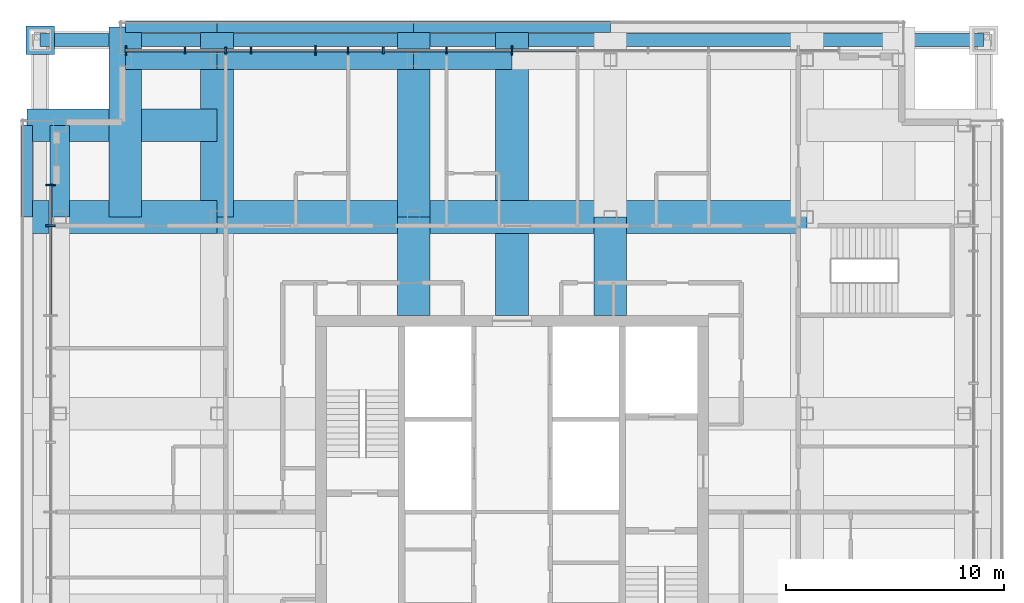
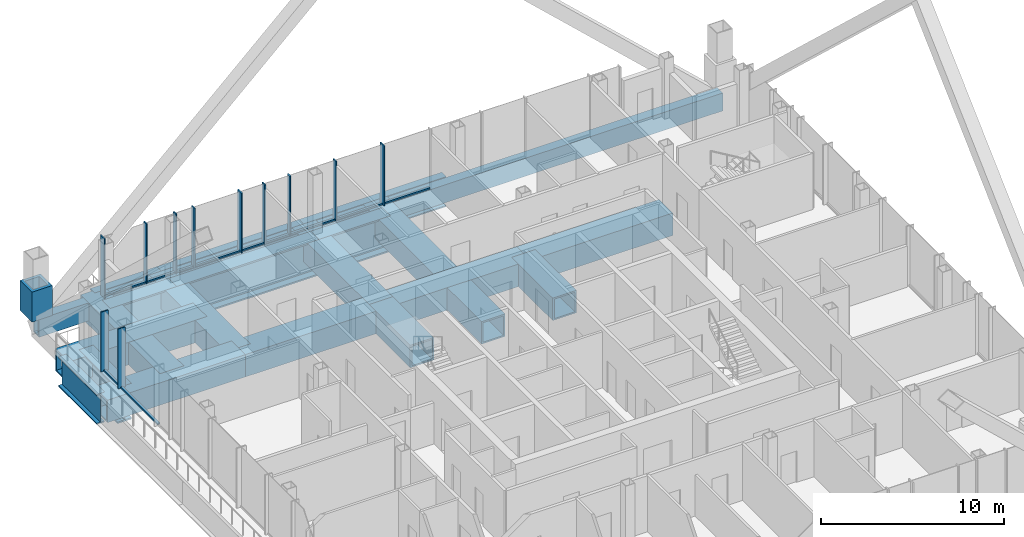
# One storey, part 8 of 19: 24 members, 19 beams, 2 elements without a shape of their own.
"""IFC4 building model written with IfcOpenShell, lengths in metres."""

import ifcopenshell
import ifcopenshell.guid

model = None  # the IFC model being written
_history = None  # IfcOwnerHistory: only IFC2X3 demands one
_inside = {}  # id of a spatial element -> (the spatial element, [elements in it])
_under = {}  # id of a project, library or spatial element -> (it, [spatial elements below it])
_declared = {}  # id of a project -> (the project, [libraries it declares])
_typed = {}  # id of a type object -> (the type object, [elements of that type])
_made_of = {}  # id of a material, layer set ... -> (it, [elements and type objects made of it])


def new_model(schema):
    """Start an empty IFC model of exactly this schema.

    Asked for "IFC4X3", IfcOpenShell would pick the latest addendum, in which some entities
    have other attributes; the version numbers below select the first issue.
    IFC2X3 requires an IfcOwnerHistory on every rooted entity: one is made here for all.
    """
    global model, _history
    if schema == "IFC4X3":
        model = ifcopenshell.file(schema_version=(4, 3, 0, 0))
    else:
        model = ifcopenshell.file(schema=schema)
    _inside.clear()
    _under.clear()
    _declared.clear()
    _typed.clear()
    _made_of.clear()
    _history = None
    if model.schema == "IFC2X3":
        org = make("IfcOrganization", Name="unknown")
        user = make(
            "IfcPersonAndOrganization",
            ThePerson=make("IfcPerson", FamilyName="unknown"),
            TheOrganization=org,
        )
        app = make(
            "IfcApplication",
            ApplicationDeveloper=org,
            Version="unknown",
            ApplicationFullName="unknown",
            ApplicationIdentifier="unknown",
        )
        _history = make(
            "IfcOwnerHistory",
            OwningUser=user,
            OwningApplication=app,
            ChangeAction="ADDED",
            CreationDate=0,
        )
    return model


def make(cls, **values):
    """One entity of the class cls with the attributes given. An attribute that is None is left unset."""
    return model.create_entity(
        cls, **{name: value for name, value in values.items() if value is not None}
    )


def rooted(cls, **values):
    """An entity with a GlobalId (a new one), such as an element, a storey or a relation."""
    return make(cls, GlobalId=ifcopenshell.guid.new(), OwnerHistory=_history, **values)


def si_unit(unit_type, name, prefix=None):
    """IfcSIUnit, for example si_unit("LENGTHUNIT", "METRE", prefix="MILLI")."""
    return make("IfcSIUnit", UnitType=unit_type, Prefix=prefix, Name=name)


def assignment(units):
    """IfcUnitAssignment: the units of a project."""
    return None if units is None else make("IfcUnitAssignment", Units=units)


def point(xyz):
    """IfcCartesianPoint."""
    return None if xyz is None else make("IfcCartesianPoint", Coordinates=xyz)


def direction(xyz):
    """IfcDirection."""
    return None if xyz is None else make("IfcDirection", DirectionRatios=xyz)


def frame(location, z_axis=None, x_axis=None):
    """IfcAxis2Placement3D, a coordinate frame: its origin and axes. An axis left out is left unset."""
    return make(
        "IfcAxis2Placement3D",
        Location=point(location),
        Axis=direction(z_axis),
        RefDirection=direction(x_axis),
    )


def frame_2d(location, x_axis=None):
    """IfcAxis2Placement2D, a coordinate frame in the plane: its origin and x axis."""
    return make(
        "IfcAxis2Placement2D", Location=point(location), RefDirection=direction(x_axis)
    )


def origin():
    """The frame at (0, 0, 0) with its axes left unset."""
    return frame((0.0, 0.0, 0.0))


def origin_2d():
    """The frame at (0, 0) in the plane with its x axis left unset."""
    return frame_2d((0.0, 0.0))


def place(relative_to, where):
    """IfcLocalPlacement: puts the frame where relative to a parent placement (None: the world)."""
    return make(
        "IfcLocalPlacement", PlacementRelTo=relative_to, RelativePlacement=where
    )


def context(
    kind, dimensions, precision=None, world=None, true_north=None, identifier=None
):
    """IfcGeometricRepresentationContext, for example the 3D "Model" context."""
    return make(
        "IfcGeometricRepresentationContext",
        ContextIdentifier=identifier,
        ContextType=kind,
        CoordinateSpaceDimension=dimensions,
        Precision=precision,
        WorldCoordinateSystem=world,
        TrueNorth=true_north,
    )


def subcontext(parent, identifier, kind, view, scale=None):
    """IfcGeometricRepresentationSubContext, for example "Body" below "Model"."""
    return make(
        "IfcGeometricRepresentationSubContext",
        ContextIdentifier=identifier,
        ContextType=kind,
        ParentContext=parent,
        TargetScale=scale,
        TargetView=view,
    )


def project(units=None, contexts=None):
    """IfcProject with its units and contexts."""
    return rooted(
        "IfcProject",
        Name="project",
        RepresentationContexts=contexts,
        UnitsInContext=assignment(units),
    )


def spatial(cls, under=None, at=None, **own):
    """A site, building, storey or space (cls), placed at a placement, below another one or the project."""
    s = rooted(cls, ObjectPlacement=at, **own)
    if under is not None:
        _under.setdefault(under.id(), (under, []))[1].append(s)
    return s


def profile(cls, at=None, kind="AREA", **sizes):
    """A parametric profile (cls). Its sizes go by their IFC names, for example OverallWidth=200.0."""
    return make(cls, ProfileType=kind, Position=at, **sizes)


def rectangle(**sizes):
    """IfcRectangleProfileDef."""
    return profile("IfcRectangleProfileDef", **sizes)


def hollow_rectangle(**sizes):
    """IfcRectangleHollowProfileDef."""
    return profile("IfcRectangleHollowProfileDef", **sizes)


def i_section(**sizes):
    """IfcIShapeProfileDef."""
    return profile("IfcIShapeProfileDef", **sizes)


def extrude(swept, where, along, depth):
    """IfcExtrudedAreaSolid: the profile swept, set in the frame where, extruded along a direction by depth."""
    return make(
        "IfcExtrudedAreaSolid",
        SweptArea=swept,
        Position=where,
        ExtrudedDirection=direction(along),
        Depth=depth,
    )


def shape(context_of_items, identifier, shape_type, items):
    """IfcShapeRepresentation: the items that make up one representation, for example the "Body"."""
    return make(
        "IfcShapeRepresentation",
        ContextOfItems=context_of_items,
        RepresentationIdentifier=identifier,
        RepresentationType=shape_type,
        Items=items,
    )


def material(Name=None, Category=None):
    """IfcMaterial."""
    return make("IfcMaterial", Name=Name, Category=Category)


def layer(
    of_material, thickness, ventilated=None, Name=None, Category=None, Priority=None
):
    """IfcMaterialLayer: one layer of a wall or slab, of a material (None: an air gap)."""
    return make(
        "IfcMaterialLayer",
        Material=of_material,
        LayerThickness=thickness,
        IsVentilated=ventilated,
        Name=Name,
        Category=Category,
        Priority=Priority,
    )


def layer_set(layers, Name=None):
    """IfcMaterialLayerSet."""
    return make("IfcMaterialLayerSet", MaterialLayers=layers, LayerSetName=Name)


def material_profile(
    of_material, cross_section, Name=None, Category=None, Priority=None
):
    """IfcMaterialProfile: a cross section and its material."""
    return make(
        "IfcMaterialProfile",
        Name=Name,
        Material=of_material,
        Profile=cross_section,
        Priority=Priority,
        Category=Category,
    )


def profile_set(profiles, Name=None, composite=None):
    """IfcMaterialProfileSet."""
    return make(
        "IfcMaterialProfileSet",
        Name=Name,
        MaterialProfiles=profiles,
        CompositeProfile=composite,
    )


def made_of(thing, what):
    """Note that an element or type object is made of a material, layer set ...; save() writes the relation."""
    if what is not None:
        _made_of.setdefault(what.id(), (what, []))[1].append(thing)
    return thing


def type_object(cls, material=None, **own):
    """A type object (cls), such as IfcWallType, which elements share."""
    return made_of(rooted(cls, **own), material)


def element(
    cls,
    number,
    at=None,
    inside=None,
    cuts=None,
    type_object=None,
    material=None,
    context=None,
    identifier="Body",
    shape_type=None,
    held_by="IfcProductDefinitionShape",
    body=None,
    shapes=None,
    **own,
):
    """One element of the class cls, such as IfcWall. Its Tag is "e" and its number.

    at: its placement. inside: the storey or other place that contains it. cuts: it is an
    opening in that element (IfcRelVoidsElement). A single representation is given by context,
    identifier, shape_type and body (its items); several are given by shapes. held_by: the class
    of the entity that holds the representations. save() writes the other relations.
    """
    e = rooted(cls, Tag="e%d" % number, ObjectPlacement=at, **own)
    if body is not None:
        shapes = [shape(context, identifier, shape_type, body)]
    if shapes is not None:
        e.Representation = make(held_by, Representations=shapes)
    if inside is not None:
        _inside.setdefault(inside.id(), (inside, []))[1].append(e)
    if cuts is not None:
        rooted(
            "IfcRelVoidsElement", RelatingBuildingElement=cuts, RelatedOpeningElement=e
        )
    if type_object is not None:
        _typed.setdefault(type_object.id(), (type_object, []))[1].append(e)
    return made_of(e, material)


def aggregate(whole, parts):
    """IfcRelAggregates: a whole, such as a stair, and the parts it consists of."""
    return rooted("IfcRelAggregates", RelatingObject=whole, RelatedObjects=parts)


def save(model, path):
    """Write the relations noted so far, then the file.

    IfcRelAggregates (storeys below a building ...), IfcRelContainedInSpatialStructure (elements
    in a storey), IfcRelDefinesByType, IfcRelAssociatesMaterial and IfcRelDeclares: one each for
    every whole, place, type object, material and project.
    """
    for whole, parts in _under.values():
        aggregate(whole, parts)
    for where, things in _inside.values():
        rooted(
            "IfcRelContainedInSpatialStructure",
            RelatedElements=things,
            RelatingStructure=where,
        )
    for kind, things in _typed.values():
        rooted("IfcRelDefinesByType", RelatedObjects=things, RelatingType=kind)
    for what, things in _made_of.values():
        rooted("IfcRelAssociatesMaterial", RelatedObjects=things, RelatingMaterial=what)
    for by, libraries in _declared.values():
        rooted("IfcRelDeclares", RelatingContext=by, RelatedDefinitions=libraries)
    model.write(path)


model = new_model("IFC4")

# Units and contexts
model_context = context("Model", 3, precision=1e-05, world=origin(), true_north=direction((0.0, 1.0)))
body_context = subcontext(model_context, "Body", "Model", "MODEL_VIEW")
ifc_project = project(units=[si_unit("LENGTHUNIT", "METRE"), si_unit("AREAUNIT", "SQUARE_METRE"), si_unit("VOLUMEUNIT", "CUBIC_METRE"), si_unit("PLANEANGLEUNIT", "RADIAN"), si_unit("MASSUNIT", "GRAM", prefix="KILO")], contexts=[model_context])

# Site, building, storey
site_placement = place(None, origin())
site = spatial("IfcSite", under=ifc_project, at=site_placement, CompositionType="ELEMENT")
building_placement = place(site_placement, origin())
building = spatial("IfcBuilding", under=site, at=building_placement, Name="Malebo Sky Hospital", CompositionType="ELEMENT")
storey_placement = place(building_placement, frame((0.0, 0.0, 250.0)))
storey = spatial("IfcBuildingStorey", under=building, at=storey_placement, Name="L60", CompositionType="ELEMENT", Elevation=250.0)

# Curtain wall, members
ifc_material_1 = material(Name="Anodised aluminium, natural silver", Category="aluminium")
ifc_layer_1 = layer(ifc_material_1, 0.25)
ifc_layer_set_1 = layer_set([ifc_layer_1], Name="WARD CURTAIN WALL NORTH AND SOUTH")
curtain_wall_type_1 = type_object("IfcCurtainWallType", Name="WARD CURTAIN WALL NORTH AND SOUTH", PredefinedType="NOTDEFINED", material=ifc_layer_set_1)
curtain_wall_1_placement = place(storey_placement, origin())
curtain_wall_1 = element("IfcCurtainWall", 1, at=curtain_wall_1_placement, inside=storey, type_object=curtain_wall_type_1, Name="NS curtain wall N", PredefinedType="NOTDEFINED")
ifc_material_profile_1 = material_profile(ifc_material_1, rectangle(XDim=0.14990234375, YDim=0.10009765625, at=origin_2d()), Name="ALUMINIUM TRANSOM 150x100")
ifc_profile_set_1 = profile_set([ifc_material_profile_1], Name="Anodised aluminium, natural silver")
member_type_1 = type_object("IfcMemberType", Name="ALUMINIUM TRANSOM 150x100", PredefinedType="USERDEFINED", material=ifc_profile_set_1)
member_1_placement = place(storey_placement, frame((42.375, 83.125, 0.050048828125), z_axis=(1.0, 0.0, 0.0), x_axis=(0.0, 1.0, 0.0)))
member_1 = element("IfcMember", 2, at=member_1_placement, type_object=member_type_1, Name="Transom 1", ObjectType="TRANSOM", PredefinedType="USERDEFINED", context=body_context, shape_type="SweptSolid", body=[
    extrude(rectangle(XDim=0.14990234375, YDim=0.10009765625, at=origin_2d()), origin(), (0.0, 0.0, 1.0), 2.61474609375),
])
member_2_placement = place(storey_placement, frame((45.064697265625, 83.125, 0.050048828125), z_axis=(1.0, 0.0, 0.0), x_axis=(0.0, 1.0, 0.0)))
member_2 = element("IfcMember", 3, at=member_2_placement, type_object=member_type_1, Name="Transom 2", ObjectType="TRANSOM", PredefinedType="USERDEFINED", context=body_context, shape_type="SweptSolid", body=[
    extrude(rectangle(XDim=0.14990234375, YDim=0.10009765625, at=origin_2d()), origin(), (0.0, 0.0, 1.0), 1.7978515625),
])
member_3_placement = place(storey_placement, frame((46.9375, 83.125, 0.050048828125), z_axis=(1.0, 0.0, 0.0), x_axis=(0.0, 1.0, 0.0)))
member_3 = element("IfcMember", 4, at=member_3_placement, type_object=member_type_1, Name="Transom 3", ObjectType="TRANSOM", PredefinedType="USERDEFINED", context=body_context, shape_type="SweptSolid", body=[
    extrude(rectangle(XDim=0.14990234375, YDim=0.10009765625, at=origin_2d()), origin(), (0.0, 0.0, 1.0), 1.07958984375),
])
member_4_placement = place(storey_placement, frame((48.092041015625, 83.125, 0.050048828125), z_axis=(1.0, 0.0, 0.0), x_axis=(0.0, 1.0, 0.0)))
member_4 = element("IfcMember", 5, at=member_4_placement, type_object=member_type_1, Name="Transom 4", ObjectType="TRANSOM", PredefinedType="USERDEFINED", context=body_context, shape_type="SweptSolid", body=[
    extrude(rectangle(XDim=0.14990234375, YDim=0.10009765625, at=origin_2d()), origin(), (0.0, 0.0, 1.0), 2.870361328125),
])
member_5_placement = place(storey_placement, frame((51.03759765625, 83.125, 0.050048828125), z_axis=(1.0, 0.0, 0.0), x_axis=(0.0, 1.0, 0.0)))
member_5 = element("IfcMember", 6, at=member_5_placement, type_object=member_type_1, Name="Transom 5", ObjectType="TRANSOM", PredefinedType="USERDEFINED", context=body_context, shape_type="SweptSolid", body=[
    extrude(rectangle(XDim=0.14990234375, YDim=0.10009765625, at=origin_2d()), origin(), (0.0, 0.0, 1.0), 1.4248046875),
])
member_6_placement = place(storey_placement, frame((52.53759765625, 83.125, 0.050048828125), z_axis=(1.0, 0.0, 0.0), x_axis=(0.0, 1.0, 0.0)))
member_6 = element("IfcMember", 7, at=member_6_placement, type_object=member_type_1, Name="Transom 6", ObjectType="TRANSOM", PredefinedType="USERDEFINED", context=body_context, shape_type="SweptSolid", body=[
    extrude(rectangle(XDim=0.14990234375, YDim=0.10009765625, at=origin_2d()), origin(), (0.0, 0.0, 1.0), 1.533935546875),
])
member_7_placement = place(storey_placement, frame((54.146484375, 83.125, 0.050048828125), z_axis=(1.0, 0.0, 0.0), x_axis=(0.0, 1.0, 0.0)))
member_7 = element("IfcMember", 8, at=member_7_placement, type_object=member_type_1, Name="Transom 7", ObjectType="TRANSOM", PredefinedType="USERDEFINED", context=body_context, shape_type="SweptSolid", body=[
    extrude(rectangle(XDim=0.14990234375, YDim=0.10009765625, at=origin_2d()), origin(), (0.0, 0.0, 1.0), 2.81591796875),
])
member_8_placement = place(storey_placement, frame((57.03759765625, 83.125, 0.050048828125), z_axis=(1.0, 0.0, 0.0), x_axis=(0.0, 1.0, 0.0)))
member_8 = element("IfcMember", 9, at=member_8_placement, type_object=member_type_1, Name="Transom 8", ObjectType="TRANSOM", PredefinedType="USERDEFINED", context=body_context, shape_type="SweptSolid", body=[
    extrude(rectangle(XDim=0.14990234375, YDim=0.10009765625, at=origin_2d()), origin(), (0.0, 0.0, 1.0), 2.9248046875),
])
member_9_placement = place(storey_placement, frame((60.03759765625, 83.125, 0.050048828125), z_axis=(1.0, 0.0, 0.0), x_axis=(0.0, 1.0, 0.0)))
member_9 = element("IfcMember", 10, at=member_9_placement, type_object=member_type_1, Name="Transom 9", ObjectType="TRANSOM", PredefinedType="USERDEFINED", context=body_context, shape_type="SweptSolid", body=[
    extrude(rectangle(XDim=0.14990234375, YDim=0.10009765625, at=origin_2d()), origin(), (0.0, 0.0, 1.0), 2.9248046875),
])

ifc_layer_2 = layer(ifc_material_1, 0.25)
ifc_layer_set_2 = layer_set([ifc_layer_2], Name="WARD CURTAIN WALL EAST AND WEST")
curtain_wall_type_2 = type_object("IfcCurtainWallType", Name="WARD CURTAIN WALL EAST AND WEST", PredefinedType="NOTDEFINED", material=ifc_layer_set_2)
curtain_wall_2_placement = place(storey_placement, origin())
curtain_wall_2 = element("IfcCurtainWall", 11, at=curtain_wall_2_placement, inside=storey, type_object=curtain_wall_type_2, Name="EW curtain wall W", PredefinedType="NOTDEFINED")
member_10_placement = place(storey_placement, frame((38.875, 71.03759765625, 0.050048828125), z_axis=(0.0, 1.0, 0.0), x_axis=(-1.0, 0.0, 0.0)))
member_10 = element("IfcMember", 12, at=member_10_placement, type_object=member_type_1, Name="Transom 13", ObjectType="TRANSOM", PredefinedType="USERDEFINED", context=body_context, shape_type="SweptSolid", body=[
    extrude(rectangle(XDim=0.14990234375, YDim=0.10009765625, at=origin_2d()), origin(), (0.0, 0.0, 1.0), 4.02490234375),
])
member_11_placement = place(storey_placement, frame((38.875, 75.137451171875, 0.050048828125), z_axis=(0.0, 1.0, 0.0), x_axis=(-1.0, 0.0, 0.0)))
member_11 = element("IfcMember", 13, at=member_11_placement, type_object=member_type_1, Name="Transom 14", ObjectType="TRANSOM", PredefinedType="USERDEFINED", context=body_context, shape_type="SweptSolid", body=[
    extrude(rectangle(XDim=0.14990234375, YDim=0.10009765625, at=origin_2d()), origin(), (0.0, 0.0, 1.0), 1.78759765625),
])

# Member
ifc_material_profile_2 = material_profile(ifc_material_1, rectangle(XDim=0.074951171875, YDim=0.300048828125, at=origin_2d()), Name="CW1 ALUMINIUM FIN MULLION 75x300")
ifc_profile_set_2 = profile_set([ifc_material_profile_2], Name="Anodised aluminium, natural silver")
member_type_2 = type_object("IfcMemberType", Name="CW1 ALUMINIUM FIN MULLION 75x300", PredefinedType="MULLION", material=ifc_profile_set_2)
member_12_placement = place(storey_placement, frame((45.02734375, 83.125, 0.0), z_axis=(0.0, 0.0, 1.0), x_axis=(1.0, 0.0, 0.0)))
member_12 = element("IfcMember", 14, at=member_12_placement, type_object=member_type_2, Name="Fin mullion 2", PredefinedType="MULLION", context=body_context, shape_type="SweptSolid", body=[
    extrude(rectangle(XDim=0.074951171875, YDim=0.300048828125, at=origin_2d()), origin(), (0.0, 0.0, 1.0), 4.0),
])

member_13_placement = place(storey_placement, frame((46.89990234375, 83.125, 0.0), z_axis=(0.0, 0.0, 1.0), x_axis=(1.0, 0.0, 0.0)))
member_13 = element("IfcMember", 15, at=member_13_placement, type_object=member_type_2, Name="Fin mullion 3", PredefinedType="MULLION", context=body_context, shape_type="SweptSolid", body=[
    extrude(rectangle(XDim=0.074951171875, YDim=0.300048828125, at=origin_2d()), origin(), (0.0, 0.0, 1.0), 4.0),
])

member_14_placement = place(storey_placement, frame((48.054443359375, 83.125, 0.0), z_axis=(0.0, 0.0, 1.0), x_axis=(1.0, 0.0, 0.0)))
member_14 = element("IfcMember", 16, at=member_14_placement, type_object=member_type_2, Name="Fin mullion 4", PredefinedType="MULLION", context=body_context, shape_type="SweptSolid", body=[
    extrude(rectangle(XDim=0.074951171875, YDim=0.300048828125, at=origin_2d()), origin(), (0.0, 0.0, 1.0), 4.0),
])

member_15_placement = place(storey_placement, frame((52.5, 83.125, 0.0), z_axis=(0.0, 0.0, 1.0), x_axis=(1.0, 0.0, 0.0)))
member_15 = element("IfcMember", 17, at=member_15_placement, type_object=member_type_2, Name="Fin mullion 6", PredefinedType="MULLION", context=body_context, shape_type="SweptSolid", body=[
    extrude(rectangle(XDim=0.074951171875, YDim=0.300048828125, at=origin_2d()), origin(), (0.0, 0.0, 1.0), 4.0),
])

member_16_placement = place(storey_placement, frame((54.109130859375, 83.125, 0.0), z_axis=(0.0, 0.0, 1.0), x_axis=(1.0, 0.0, 0.0)))
member_16 = element("IfcMember", 18, at=member_16_placement, type_object=member_type_2, Name="Fin mullion 7", PredefinedType="MULLION", context=body_context, shape_type="SweptSolid", body=[
    extrude(rectangle(XDim=0.074951171875, YDim=0.300048828125, at=origin_2d()), origin(), (0.0, 0.0, 1.0), 4.0),
])

member_17_placement = place(storey_placement, frame((57.0, 83.125, 0.0), z_axis=(0.0, 0.0, 1.0), x_axis=(1.0, 0.0, 0.0)))
member_17 = element("IfcMember", 19, at=member_17_placement, type_object=member_type_2, Name="Fin mullion 8", PredefinedType="MULLION", context=body_context, shape_type="SweptSolid", body=[
    extrude(rectangle(XDim=0.074951171875, YDim=0.300048828125, at=origin_2d()), origin(), (0.0, 0.0, 1.0), 4.0),
])

ifc_material_profile_3 = material_profile(ifc_material_1, rectangle(XDim=0.074951171875, YDim=0.449951171875, at=origin_2d()), Name="CW1 ALUMINIUM FIN MULLION 75x450")
ifc_profile_set_3 = profile_set([ifc_material_profile_3], Name="Anodised aluminium, natural silver")
member_type_3 = type_object("IfcMemberType", Name="CW1 ALUMINIUM FIN MULLION 75x450", PredefinedType="MULLION", material=ifc_profile_set_3)
member_18_placement = place(storey_placement, frame((42.33740234375, 83.125, 0.0), z_axis=(0.0, 0.0, 1.0), x_axis=(1.0, 0.0, 0.0)))
member_18 = element("IfcMember", 20, at=member_18_placement, type_object=member_type_3, Name="Fin mullion 1", PredefinedType="MULLION", context=body_context, shape_type="SweptSolid", body=[
    extrude(rectangle(XDim=0.074951171875, YDim=0.449951171875, at=origin_2d()), origin(), (0.0, 0.0, 1.0), 4.0),
])

member_19_placement = place(storey_placement, frame((51.0, 83.125, 0.0), z_axis=(0.0, 0.0, 1.0), x_axis=(1.0, 0.0, 0.0)))
member_19 = element("IfcMember", 21, at=member_19_placement, type_object=member_type_3, Name="Fin mullion 5", PredefinedType="MULLION", context=body_context, shape_type="SweptSolid", body=[
    extrude(rectangle(XDim=0.074951171875, YDim=0.449951171875, at=origin_2d()), origin(), (0.0, 0.0, 1.0), 4.0),
])

member_20_placement = place(storey_placement, frame((60.0, 83.125, 0.0), z_axis=(0.0, 0.0, 1.0), x_axis=(1.0, 0.0, 0.0)))
member_20 = element("IfcMember", 22, at=member_20_placement, type_object=member_type_3, Name="Fin mullion 9", PredefinedType="MULLION", context=body_context, shape_type="SweptSolid", body=[
    extrude(rectangle(XDim=0.074951171875, YDim=0.449951171875, at=origin_2d()), origin(), (0.0, 0.0, 1.0), 4.0),
])

aggregate(curtain_wall_1, [member_18, member_12, member_13, member_14, member_19, member_15, member_16, member_17, member_20, member_1, member_2, member_3, member_4, member_5, member_6, member_7, member_8, member_9])

ifc_material_profile_4 = material_profile(ifc_material_1, rectangle(XDim=0.074951171875, YDim=0.449951171875, at=origin_2d()), Name="CW2 ALUMINIUM FIN MULLION 75x450")
ifc_profile_set_4 = profile_set([ifc_material_profile_4], Name="Anodised aluminium, natural silver")
member_type_4 = type_object("IfcMemberType", Name="CW2 ALUMINIUM FIN MULLION 75x450", PredefinedType="MULLION", material=ifc_profile_set_4)
member_21_placement = place(storey_placement, frame((38.875, 75.10009765625, 0.0), z_axis=(0.0, 0.0, 1.0), x_axis=(0.0, 1.0, 0.0)))
member_21 = element("IfcMember", 23, at=member_21_placement, type_object=member_type_4, Name="Fin mullion 14", PredefinedType="MULLION", context=body_context, shape_type="SweptSolid", body=[
    extrude(rectangle(XDim=0.074951171875, YDim=0.449951171875, at=origin_2d()), origin(), (0.0, 0.0, 1.0), 4.0),
])

member_22_placement = place(storey_placement, frame((38.875, 76.96240234375, 0.0), z_axis=(0.0, 0.0, 1.0), x_axis=(0.0, 1.0, 0.0)))
member_22 = element("IfcMember", 24, at=member_22_placement, type_object=member_type_4, Name="Fin mullion 15", PredefinedType="MULLION", context=body_context, shape_type="SweptSolid", body=[
    extrude(rectangle(XDim=0.074951171875, YDim=0.449951171875, at=origin_2d()), origin(), (0.0, 0.0, 1.0), 4.0),
])

aggregate(curtain_wall_2, [member_21, member_22, member_10, member_11])

# Members
ifc_material_2 = material(Name="Steel S460", Category="steel")
ifc_material_profile_5 = material_profile(ifc_material_2, hollow_rectangle(XDim=1.300048828125, YDim=1.300048828125, WallThickness=0.199951171875, at=origin_2d()), Name="BOX 1300x1300x200")
ifc_profile_set_5 = profile_set([ifc_material_profile_5], Name="Steel S460")
member_type_5 = type_object("IfcMemberType", Name="MEGA COLUMN NODE BOX 1300x1300x200", PredefinedType="MEMBER", material=ifc_profile_set_5)
member_23_placement = place(storey_placement, frame((38.39990234375, 83.60009765625, 0.0), z_axis=(0.0, 0.0, 1.0), x_axis=(1.0, 0.0, 0.0)))
element("IfcMember", 25, at=member_23_placement, inside=storey, type_object=member_type_5, Name="Mega column node NW L60", PredefinedType="MEMBER", context=body_context, shape_type="SweptSolid", body=[
    extrude(hollow_rectangle(XDim=1.300048828125, YDim=1.300048828125, WallThickness=0.199951171875, at=origin_2d()), origin(), (0.0, 0.0, 1.0), 2.0),
])
ifc_material_profile_6 = material_profile(ifc_material_2, hollow_rectangle(XDim=0.60009765625, YDim=1.199951171875, WallThickness=0.080078125, at=origin_2d()), Name="BOX 1200x600x80")
ifc_profile_set_6 = profile_set([ifc_material_profile_6], Name="Steel S460")
member_type_6 = type_object("IfcMemberType", Name="MEGA TIE BOX 1200x600x80", PredefinedType="CHORD", material=ifc_profile_set_6)
member_24_placement = place(storey_placement, frame((81.60009765625, 83.60009765625, -0.85009765625), z_axis=(-1.0, 0.0, 0.0), x_axis=(0.0, -1.0, 0.0)))
element("IfcMember", 26, at=member_24_placement, inside=storey, type_object=member_type_6, Name="Mega tie DN L60", PredefinedType="CHORD", context=body_context, shape_type="SweptSolid", body=[
    extrude(hollow_rectangle(XDim=0.60009765625, YDim=1.199951171875, WallThickness=0.080078125, at=origin_2d()), origin(), (0.0, 0.0, 1.0), 43.2001953125),
])

# Beams
ifc_material_profile_7 = material_profile(ifc_material_2, hollow_rectangle(XDim=1.5, YDim=1.5, WallThickness=0.10009765625, at=origin_2d()), Name="BOX 1500x1500x100")
ifc_profile_set_7 = profile_set([ifc_material_profile_7], Name="Steel S460")
beam_type_1 = type_object("IfcBeamType", Name="TRANSFER GIRDER BOX 1500x1500x100", PredefinedType="BEAM", material=ifc_profile_set_7)
beam_1_placement = place(storey_placement, frame((46.5, 75.5, -1.0), z_axis=(0.0, 1.0, 0.0), x_axis=(-1.0, 0.0, 0.0)))
element("IfcBeam", 27, at=beam_1_placement, inside=storey, type_object=beam_type_1, Name="Beam 012 L60", PredefinedType="BEAM", context=body_context, shape_type="SweptSolid", body=[
    extrude(hollow_rectangle(XDim=1.5, YDim=1.5, WallThickness=0.10009765625, at=origin_2d()), origin(), (0.0, 0.0, 1.0), 8.699951171875),
])
beam_2_placement = place(storey_placement, frame((55.5, 71.0, -1.0), z_axis=(0.0, 1.0, 0.0), x_axis=(-1.0, 0.0, 0.0)))
element("IfcBeam", 28, at=beam_2_placement, inside=storey, type_object=beam_type_1, Name="Beam 015 L60", PredefinedType="BEAM", context=body_context, shape_type="SweptSolid", body=[
    extrude(hollow_rectangle(XDim=1.5, YDim=1.5, WallThickness=0.10009765625, at=origin_2d()), origin(), (0.0, 0.0, 1.0), 4.5),
])
beam_3_placement = place(storey_placement, frame((55.5, 75.5, -1.0), z_axis=(0.0, 1.0, 0.0), x_axis=(-1.0, 0.0, 0.0)))
element("IfcBeam", 29, at=beam_3_placement, inside=storey, type_object=beam_type_1, Name="Beam 016 L60", PredefinedType="BEAM", context=body_context, shape_type="SweptSolid", body=[
    extrude(hollow_rectangle(XDim=1.5, YDim=1.5, WallThickness=0.10009765625, at=origin_2d()), origin(), (0.0, 0.0, 1.0), 8.699951171875),
])
beam_4_placement = place(storey_placement, frame((64.5, 71.0, -1.0), z_axis=(0.0, 1.0, 0.0), x_axis=(-1.0, 0.0, 0.0)))
element("IfcBeam", 30, at=beam_4_placement, inside=storey, type_object=beam_type_1, Name="Beam 021 L60", PredefinedType="BEAM", context=body_context, shape_type="SweptSolid", body=[
    extrude(hollow_rectangle(XDim=1.5, YDim=1.5, WallThickness=0.10009765625, at=origin_2d()), origin(), (0.0, 0.0, 1.0), 4.5),
])
beam_5_placement = place(storey_placement, frame((37.800048828125, 75.5, -1.0), z_axis=(1.0, 0.0, 0.0), x_axis=(0.0, 1.0, 0.0)))
element("IfcBeam", 31, at=beam_5_placement, inside=storey, type_object=beam_type_1, Name="Beam 059 L60", PredefinedType="BEAM", context=body_context, shape_type="SweptSolid", body=[
    extrude(hollow_rectangle(XDim=1.5, YDim=1.5, WallThickness=0.10009765625, at=origin_2d()), origin(), (0.0, 0.0, 1.0), 8.699951171875),
])
for number, where, z_axis, x_axis, name in (
    (32, (46.5, 75.5, -1.0), (1.0, 0.0, 0.0), (0.0, 1.0, 0.0), "Beam 060 L60"),
    (33, (55.5, 75.5, -1.0), (1.0, 0.0, 0.0), (0.0, 1.0, 0.0), "Beam 061 L60"),
    (34, (64.5, 75.5, -1.0), (1.0, 0.0, 0.0), (0.0, 1.0, 0.0), "Beam 062 L60"),
):
    element("IfcBeam", number, at=place(storey_placement, frame(where, z_axis=z_axis, x_axis=x_axis)), inside=storey, type_object=beam_type_1, Name=name, PredefinedType="BEAM", context=body_context, shape_type="SweptSolid", body=[
        extrude(hollow_rectangle(XDim=1.5, YDim=1.5, WallThickness=0.10009765625, at=origin_2d()), origin(), (0.0, 0.0, 1.0), 9.0),
    ])
beam_6_placement = place(storey_placement, frame((42.300048828125, 75.5, -1.0), z_axis=(0.0, 1.0, 0.0), x_axis=(-1.0, 0.0, 0.0)))
element("IfcBeam", 35, at=beam_6_placement, inside=storey, type_object=beam_type_1, Name="Beam 007 L60", PredefinedType="BEAM", context=body_context, shape_type="SweptSolid", body=[
    extrude(hollow_rectangle(XDim=1.5, YDim=1.5, WallThickness=0.10009765625, at=origin_2d()), origin(), (0.0, 0.0, 1.0), 8.699951171875),
])
beam_7_placement = place(storey_placement, frame((60.0, 71.0, -1.0), z_axis=(0.0, 1.0, 0.0), x_axis=(-1.0, 0.0, 0.0)))
element("IfcBeam", 36, at=beam_7_placement, inside=storey, type_object=beam_type_1, Name="Beam 018 L60", PredefinedType="BEAM", context=body_context, shape_type="SweptSolid", body=[
    extrude(hollow_rectangle(XDim=1.5, YDim=1.5, WallThickness=0.10009765625, at=origin_2d()), origin(), (0.0, 0.0, 1.0), 13.199951171875),
])
beam_8_placement = place(storey_placement, frame((37.800048828125, 79.699951171875, -1.0), z_axis=(1.0, 0.0, 0.0), x_axis=(0.0, 1.0, 0.0)))
element("IfcBeam", 37, at=beam_8_placement, inside=storey, type_object=beam_type_1, Name="Beam 064 L60", PredefinedType="BEAM", context=body_context, shape_type="SweptSolid", body=[
    extrude(hollow_rectangle(XDim=1.5, YDim=1.5, WallThickness=0.10009765625, at=origin_2d()), origin(), (0.0, 0.0, 1.0), 8.699951171875),
])
ifc_material_3 = material(Name="Steel S355", Category="steel")
ifc_material_profile_8 = material_profile(ifc_material_3, i_section(OverallWidth=0.5, OverallDepth=2.0, WebThickness=0.0400390625, FlangeThickness=0.080078125, at=origin_2d()), Name="PG 2000x500x40x80")
ifc_profile_set_8 = profile_set([ifc_material_profile_8], Name="Steel S355")
beam_type_2 = type_object("IfcBeamType", Name="TRANSFER GIRDER PG 2000x500x40x80", PredefinedType="BEAM", material=ifc_profile_set_8)
for number, where, z_axis, x_axis, name in (
    (38, (37.800048828125, 75.5, -1.25), (0.0, 1.0, 0.0), (-1.0, 0.0, 0.0), "Beam 004 L60"),
    (39, (42.300048828125, 84.199951171875, -1.25), (1.0, 0.0, 0.0), (0.0, 1.0, 0.0), "Beam 067 L60"),
):
    element("IfcBeam", number, at=place(storey_placement, frame(where, z_axis=z_axis, x_axis=x_axis)), inside=storey, type_object=beam_type_2, Name=name, PredefinedType="BEAM", context=body_context, shape_type="SweptSolid", body=[
        extrude(i_section(OverallWidth=0.5, OverallDepth=2.0, WebThickness=0.0400390625, FlangeThickness=0.080078125, at=origin_2d()), origin(), (0.0, 0.0, 1.0), 4.199951171875),
    ])
for number, where, z_axis, x_axis, name in (
    (40, (46.5, 84.199951171875, -1.25), (1.0, 0.0, 0.0), (0.0, 1.0, 0.0), "Beam 068 L60"),
    (41, (55.5, 84.199951171875, -1.25), (1.0, 0.0, 0.0), (0.0, 1.0, 0.0), "Beam 069 L60"),
):
    element("IfcBeam", number, at=place(storey_placement, frame(where, z_axis=z_axis, x_axis=x_axis)), inside=storey, type_object=beam_type_2, Name=name, PredefinedType="BEAM", context=body_context, shape_type="SweptSolid", body=[
        extrude(i_section(OverallWidth=0.5, OverallDepth=2.0, WebThickness=0.0400390625, FlangeThickness=0.080078125, at=origin_2d()), origin(), (0.0, 0.0, 1.0), 9.0),
    ])
ifc_material_profile_9 = material_profile(ifc_material_3, i_section(OverallWidth=0.89990234375, OverallDepth=2.39990234375, WebThickness=0.050048828125, FlangeThickness=0.10009765625, at=origin_2d()), Name="PG 2400x900x50x100")
ifc_profile_set_9 = profile_set([ifc_material_profile_9], Name="Steel S355")
beam_type_3 = type_object("IfcBeamType", Name="TRANSFER GIRDER PG 2400x900x50x100", PredefinedType="BEAM", material=ifc_profile_set_9)
for number, where, z_axis, x_axis, name in (
    (42, (39.300048828125, 75.5, -1.449951171875), (0.0, 1.0, 0.0), (-1.0, 0.0, 0.0), "Beam 005f L60"),
    (43, (42.300048828125, 82.699951171875, -1.449951171875), (1.0, 0.0, 0.0), (0.0, 1.0, 0.0), "Beam 066 L60"),
):
    element("IfcBeam", number, at=place(storey_placement, frame(where, z_axis=z_axis, x_axis=x_axis)), inside=storey, type_object=beam_type_3, Name=name, PredefinedType="BEAM", context=body_context, shape_type="SweptSolid", body=[
        extrude(i_section(OverallWidth=0.89990234375, OverallDepth=2.39990234375, WebThickness=0.050048828125, FlangeThickness=0.10009765625, at=origin_2d()), origin(), (0.0, 0.0, 1.0), 4.199951171875),
    ])
beam_9_placement = place(storey_placement, frame((46.5, 82.699951171875, -1.449951171875), z_axis=(1.0, 0.0, 0.0), x_axis=(0.0, 1.0, 0.0)))
element("IfcBeam", 44, at=beam_9_placement, inside=storey, type_object=beam_type_3, Name="Beam 066b L60", PredefinedType="BEAM", context=body_context, shape_type="SweptSolid", body=[
    extrude(i_section(OverallWidth=0.89990234375, OverallDepth=2.39990234375, WebThickness=0.050048828125, FlangeThickness=0.10009765625, at=origin_2d()), origin(), (0.0, 0.0, 1.0), 9.0),
])
beam_10_placement = place(storey_placement, frame((55.5, 82.699951171875, -1.449951171875), z_axis=(1.0, 0.0, 0.0), x_axis=(0.0, 1.0, 0.0)))
element("IfcBeam", 45, at=beam_10_placement, inside=storey, type_object=beam_type_3, Name="Beam 066c L60", PredefinedType="BEAM", context=body_context, shape_type="SweptSolid", body=[
    extrude(i_section(OverallWidth=0.89990234375, OverallDepth=2.39990234375, WebThickness=0.050048828125, FlangeThickness=0.10009765625, at=origin_2d()), origin(), (0.0, 0.0, 1.0), 4.5),
])

save(model, "model.ifc")
